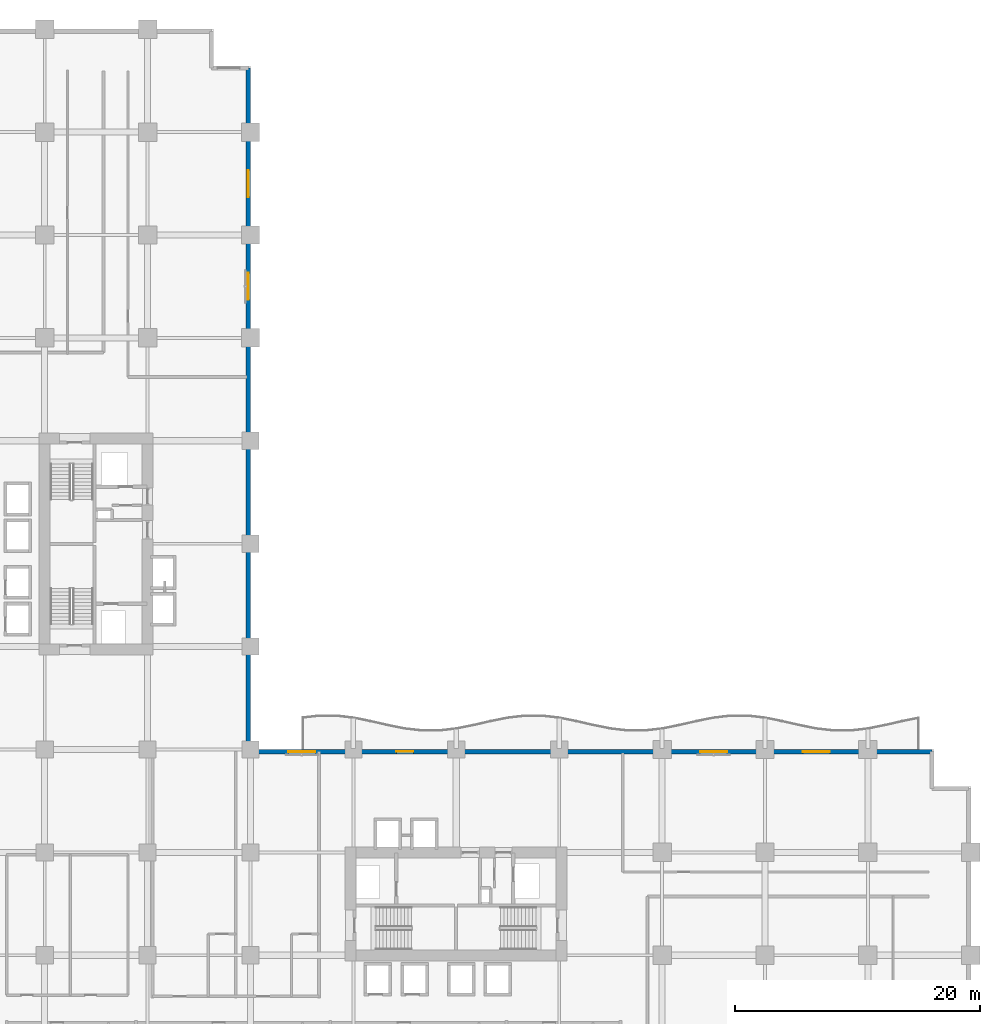
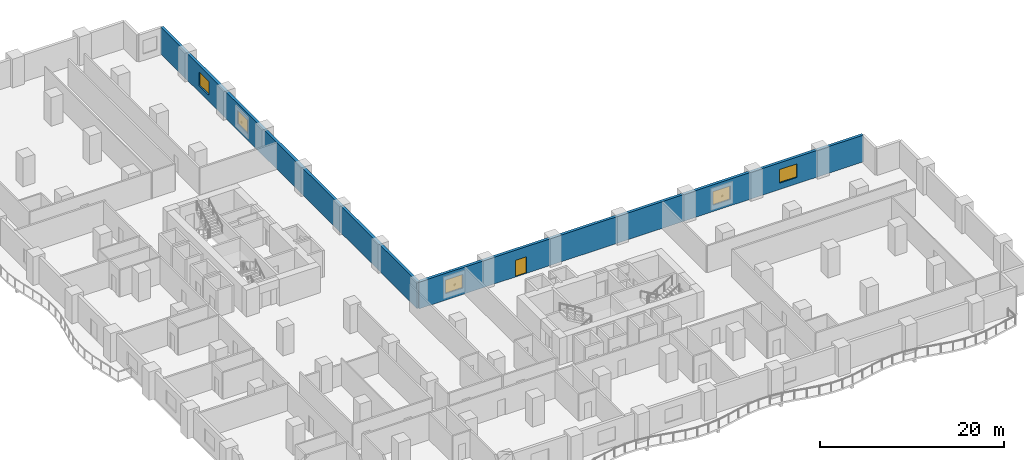
# One storey, part 11 of 20: 5 windows, 2 walls, 1 door, 6 openings.
"""IFC4 building model written with IfcOpenShell, lengths in metres."""

from ifc_helpers import new_model, si_unit, direction, frame, frame_2d, origin, place, context, subcontext, project, spatial, rectangle, extrude, material, layer, layer_set, type_object, element, fill, save


model = new_model("IFC4")

# Units and contexts
model_context = context("Model", 3, precision=1e-05, world=origin(), true_north=direction((0.0, 1.0)))
body_context = subcontext(model_context, "Body", "Model", "MODEL_VIEW")
ifc_project = project(units=[si_unit("LENGTHUNIT", "METRE"), si_unit("AREAUNIT", "SQUARE_METRE"), si_unit("VOLUMEUNIT", "CUBIC_METRE"), si_unit("PLANEANGLEUNIT", "RADIAN"), si_unit("MASSUNIT", "GRAM", prefix="KILO")], contexts=[model_context])

# Site, building, storey
site_placement = place(None, origin())
site = spatial("IfcSite", under=ifc_project, at=site_placement, CompositionType="ELEMENT")
building_placement = place(site_placement, origin())
building = spatial("IfcBuilding", under=site, at=building_placement, Name="Koriwani Terraces Tower", CompositionType="ELEMENT")
storey_placement = place(building_placement, frame((0.0, 0.0, 66.199951171875)))
storey = spatial("IfcBuildingStorey", under=building, at=storey_placement, Name="L15", CompositionType="ELEMENT", Elevation=66.199951171875)

# Wall, openings, windows
ifc_material_1 = material(Name="Concrete C50/60", Category="concrete")
ifc_layer = layer(ifc_material_1, 0.35009765625, Name="Concrete C50/60")
ifc_layer_set = layer_set([ifc_layer], Name="Concrete C50/60")
wall_type = type_object("IfcWallType", Name="WALL_EXT_BRUTALIST_350", PredefinedType="STANDARD", material=ifc_layer_set)
wall_1_placement = place(storey_placement, frame((33.425048828125, 89.22509765625, 0.0), z_axis=(0.0, 0.0, 1.0), x_axis=(0.0, -1.0, 0.0)))
wall_1 = element("IfcWall", 1, at=wall_1_placement, inside=storey, type_object=wall_type, Name="L15 Fair-Faced Brutalist Exterior Wall (NW_IN)", PredefinedType="STANDARD", context=body_context, shape_type="SweptSolid", body=[
    extrude(rectangle(XDim=55.800048828125, YDim=0.35009765625, at=frame_2d((27.89990234375, 0.0))), origin(), (0.0, 0.0, 1.0), 3.550048828125),
])
opening_1_placement = place(wall_1_placement, frame((16.72509765625, 0.0, 0.85009765625)))
opening_1 = element("IfcOpeningElement", 2, at=opening_1_placement, cuts=wall_1, Name="Opening W-01", PredefinedType="OPENING", context=body_context, shape_type="SweptSolid", body=[
    extrude(rectangle(XDim=2.199951171875, YDim=1.800048828125, at=frame_2d((1.10009765625, 0.89990234375))), frame((0.0, 0.18505859375, 0.0), z_axis=(0.0, -1.0, 0.0), x_axis=(1.0, 0.0, 0.0)), (0.0, 0.0, 1.0), 0.3701171875),
])
opening_2_placement = place(wall_1_placement, frame((8.324951171875, 0.0, 0.85009765625)))
opening_2 = element("IfcOpeningElement", 3, at=opening_2_placement, cuts=wall_1, Name="Opening W-01", PredefinedType="OPENING", context=body_context, shape_type="SweptSolid", body=[
    extrude(rectangle(XDim=2.199951171875, YDim=1.800048828125, at=frame_2d((1.10009765625, 0.89990234375))), frame((0.0, 0.18505859375, 0.0), z_axis=(0.0, -1.0, 0.0), x_axis=(1.0, 0.0, 0.0)), (0.0, 0.0, 1.0), 0.3701171875),
])
ifc_material_2 = material(Name="Tempered Laminated Low-E Glass", Category="glass")
window_type = type_object("IfcWindowType", Name="WIN_HOTEL_STD_2200X1800", PartitioningType="DOUBLE_PANEL_VERTICAL", PredefinedType="WINDOW", material=ifc_material_2)
window_1_placement = place(opening_1_placement, origin())
window_1 = element("IfcWindow", 4, at=window_1_placement, inside=storey, type_object=window_type, Name="L15 Exterior Window (NW_IN-14)", OverallHeight=1.800048828125, OverallWidth=2.199951171875, PartitioningType="SINGLE_PANEL", PredefinedType="WINDOW", context=body_context, shape_type="SweptSolid", body=[
    extrude(rectangle(XDim=2.199951171875, YDim=1.800048828125, at=frame_2d((1.10009765625, 0.89990234375))), frame((0.0, 0.030029296875, 0.0), z_axis=(0.0, -1.0, 0.0), x_axis=(1.0, 0.0, 0.0)), (0.0, 0.0, 1.0), 0.06005859375),
])
fill(opening_1, window_1)
window_2_placement = place(opening_2_placement, origin())
window_2 = element("IfcWindow", 5, at=window_2_placement, inside=storey, type_object=window_type, Name="L15 Exterior Window (NW_IN-17)", OverallHeight=1.800048828125, OverallWidth=2.199951171875, PartitioningType="SINGLE_PANEL", PredefinedType="WINDOW", context=body_context, shape_type="SweptSolid", body=[
    extrude(rectangle(XDim=2.199951171875, YDim=1.800048828125, at=frame_2d((1.10009765625, 0.89990234375))), frame((0.0, 0.030029296875, 0.0), z_axis=(0.0, -1.0, 0.0), x_axis=(1.0, 0.0, 0.0)), (0.0, 0.0, 1.0), 0.06005859375),
])
fill(opening_2, window_2)

# Wall, openings, door, windows
wall_2_placement = place(storey_placement, frame((33.425048828125, 33.425048828125, 0.0), z_axis=(0.0, 0.0, 1.0), x_axis=(1.0, 0.0, 0.0)))
wall_2 = element("IfcWall", 6, at=wall_2_placement, inside=storey, type_object=wall_type, Name="L15 Fair-Faced Brutalist Exterior Wall (NE)", PredefinedType="STANDARD", context=body_context, shape_type="SweptSolid", body=[
    extrude(rectangle(XDim=55.800048828125, YDim=0.35009765625, at=frame_2d((27.89990234375, 0.0))), origin(), (0.0, 0.0, 1.0), 3.550048828125),
])
opening_3_placement = place(wall_2_placement, frame((12.074951171875, 0.0, 0.0)))
opening_3 = element("IfcOpeningElement", 7, at=opening_3_placement, cuts=wall_2, Name="Opening D-09", PredefinedType="OPENING", context=body_context, shape_type="SweptSolid", body=[
    extrude(rectangle(XDim=1.39990234375, YDim=2.199951171875, at=frame_2d((0.699951171875, 1.10009765625))), frame((0.0, 0.18505859375, 0.0), z_axis=(0.0, -1.0, 0.0), x_axis=(1.0, 0.0, 0.0)), (0.0, 0.0, 1.0), 0.3701171875),
])
opening_4_placement = place(wall_2_placement, frame((3.27490234375, 0.0, 0.85009765625)))
opening_4 = element("IfcOpeningElement", 8, at=opening_4_placement, cuts=wall_2, Name="Opening W-01", PredefinedType="OPENING", context=body_context, shape_type="SweptSolid", body=[
    extrude(rectangle(XDim=2.199951171875, YDim=1.800048828125, at=frame_2d((1.10009765625, 0.89990234375))), frame((0.0, 0.18505859375, 0.0), z_axis=(0.0, -1.0, 0.0), x_axis=(1.0, 0.0, 0.0)), (0.0, 0.0, 1.0), 0.3701171875),
])
opening_5_placement = place(wall_2_placement, frame((36.875, 0.0, 0.85009765625)))
opening_5 = element("IfcOpeningElement", 9, at=opening_5_placement, cuts=wall_2, Name="Opening W-01", PredefinedType="OPENING", context=body_context, shape_type="SweptSolid", body=[
    extrude(rectangle(XDim=2.199951171875, YDim=1.800048828125, at=frame_2d((1.10009765625, 0.89990234375))), frame((0.0, 0.18505859375, 0.0), z_axis=(0.0, -1.0, 0.0), x_axis=(1.0, 0.0, 0.0)), (0.0, 0.0, 1.0), 0.3701171875),
])
opening_6_placement = place(wall_2_placement, frame((45.27490234375, 0.0, 0.85009765625)))
opening_6 = element("IfcOpeningElement", 10, at=opening_6_placement, cuts=wall_2, Name="Opening W-01", PredefinedType="OPENING", context=body_context, shape_type="SweptSolid", body=[
    extrude(rectangle(XDim=2.199951171875, YDim=1.800048828125, at=frame_2d((1.10009765625, 0.89990234375))), frame((0.0, 0.18505859375, 0.0), z_axis=(0.0, -1.0, 0.0), x_axis=(1.0, 0.0, 0.0)), (0.0, 0.0, 1.0), 0.3701171875),
])
ifc_material_3 = material(Name="Anodised Bronze Aluminium", Category="aluminium")
door_type = type_object("IfcDoorType", Name="DOOR_BALCONY_GLAZED_1400X2200", OperationType="NOTDEFINED", PredefinedType="DOOR", material=ifc_material_3)
door_placement = place(opening_3_placement, origin())
door = element("IfcDoor", 11, at=door_placement, inside=storey, type_object=door_type, Name="L15 Inner Court Balcony Glazed Door", OperationType="SINGLE_SWING_LEFT", OverallHeight=2.199951171875, OverallWidth=1.39990234375, PredefinedType="DOOR", context=body_context, shape_type="SweptSolid", body=[
    extrude(rectangle(XDim=1.39990234375, YDim=2.199951171875, at=frame_2d((0.699951171875, 1.10009765625))), frame((0.0, 0.02490234375, 0.0), z_axis=(0.0, -1.0, 0.0), x_axis=(1.0, 0.0, 0.0)), (0.0, 0.0, 1.0), 0.050048828125),
])
fill(opening_3, door)
window_3_placement = place(opening_4_placement, origin())
window_3 = element("IfcWindow", 12, at=window_3_placement, inside=storey, type_object=window_type, Name="L15 Exterior Window (NE-2)", OverallHeight=1.800048828125, OverallWidth=2.199951171875, PartitioningType="SINGLE_PANEL", PredefinedType="WINDOW", context=body_context, shape_type="SweptSolid", body=[
    extrude(rectangle(XDim=2.199951171875, YDim=1.800048828125, at=frame_2d((1.10009765625, 0.89990234375))), frame((0.0, 0.030029296875, 0.0), z_axis=(0.0, -1.0, 0.0), x_axis=(1.0, 0.0, 0.0)), (0.0, 0.0, 1.0), 0.06005859375),
])
fill(opening_4, window_3)
window_4_placement = place(opening_5_placement, origin())
window_4 = element("IfcWindow", 13, at=window_4_placement, inside=storey, type_object=window_type, Name="L15 Exterior Window (NE-14)", OverallHeight=1.800048828125, OverallWidth=2.199951171875, PartitioningType="SINGLE_PANEL", PredefinedType="WINDOW", context=body_context, shape_type="SweptSolid", body=[
    extrude(rectangle(XDim=2.199951171875, YDim=1.800048828125, at=frame_2d((1.10009765625, 0.89990234375))), frame((0.0, 0.030029296875, 0.0), z_axis=(0.0, -1.0, 0.0), x_axis=(1.0, 0.0, 0.0)), (0.0, 0.0, 1.0), 0.06005859375),
])
fill(opening_5, window_4)
window_5_placement = place(opening_6_placement, origin())
window_5 = element("IfcWindow", 14, at=window_5_placement, inside=storey, type_object=window_type, Name="L15 Exterior Window (NE-17)", OverallHeight=1.800048828125, OverallWidth=2.199951171875, PartitioningType="SINGLE_PANEL", PredefinedType="WINDOW", context=body_context, shape_type="SweptSolid", body=[
    extrude(rectangle(XDim=2.199951171875, YDim=1.800048828125, at=frame_2d((1.10009765625, 0.89990234375))), frame((0.0, 0.030029296875, 0.0), z_axis=(0.0, -1.0, 0.0), x_axis=(1.0, 0.0, 0.0)), (0.0, 0.0, 1.0), 0.06005859375),
])
fill(opening_6, window_5)

save(model, "model.ifc")
